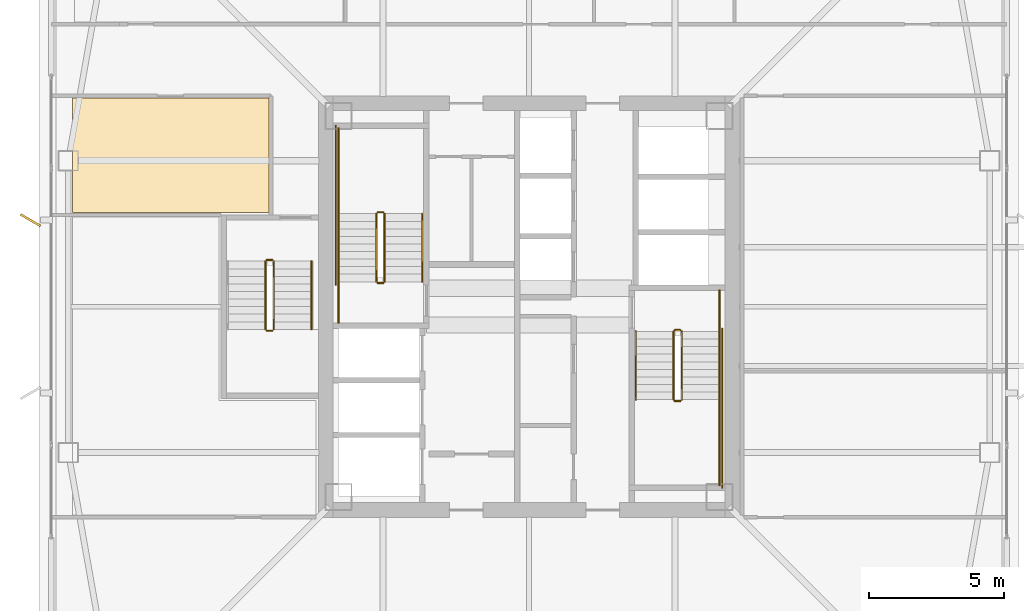
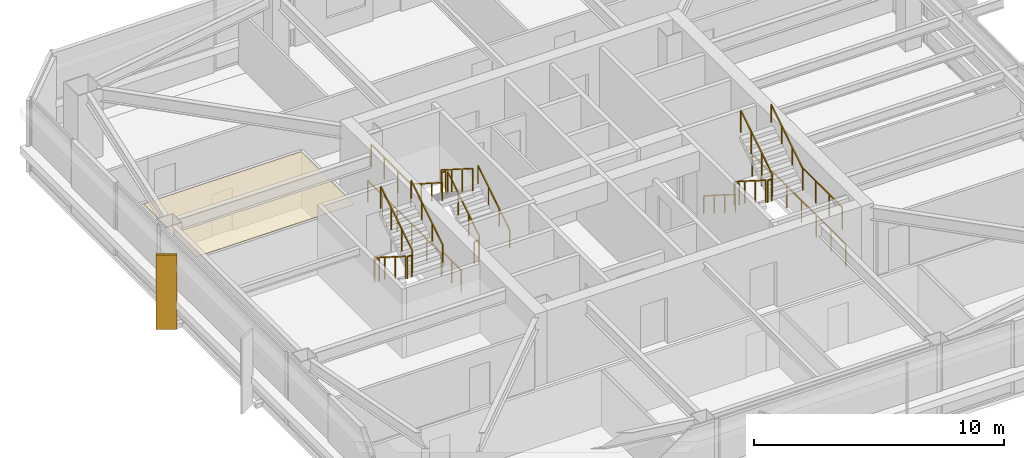
# One storey, part 42 of 46: 23 railings, 1 covering, 1 shading device.
"""IFC4 building model written with IfcOpenShell, lengths in metres."""

from ifc_helpers import new_model, si_unit, direction, frame, origin, origin_2d, place, context, subcontext, project, spatial, polyline, rectangle, outline, extrude, material, layer, layer_set, type_object, element, save


model = new_model("IFC4")

# Units and contexts
model_context = context("Model", 3, precision=1e-05, world=origin(), true_north=direction((0.0, 1.0)))
body_context = subcontext(model_context, "Body", "Model", "MODEL_VIEW")
ifc_project = project(units=[si_unit("LENGTHUNIT", "METRE"), si_unit("AREAUNIT", "SQUARE_METRE"), si_unit("VOLUMEUNIT", "CUBIC_METRE"), si_unit("PLANEANGLEUNIT", "RADIAN"), si_unit("MASSUNIT", "GRAM", prefix="KILO")], contexts=[model_context])

# Site, building, storey
site_placement = place(None, origin())
site = spatial("IfcSite", under=ifc_project, at=site_placement, CompositionType="ELEMENT")
building_placement = place(site_placement, origin())
building = spatial("IfcBuilding", under=site, at=building_placement, Name="Tashvorn Skyway Center", CompositionType="ELEMENT")
storey_placement = place(building_placement, frame((0.0, 0.0, 167.64990234375)))
storey = spatial("IfcBuildingStorey", under=building, at=storey_placement, Name="L45", CompositionType="ELEMENT", Elevation=167.64990234375)

# Covering
ifc_material_1 = material(Name="Mineral-fibre acoustic ceiling tile on suspended grid")
ifc_layer_1 = layer(ifc_material_1, 0.02001953125)
ifc_layer_set_1 = layer_set([ifc_layer_1], Name="Mineral-fibre acoustic ceiling tile on suspended grid")
covering_type = type_object("IfcCoveringType", Name="COV-CEIL-20", PredefinedType="CEILING", material=ifc_layer_set_1)
covering_placement = place(storey_placement, frame((0.0, 0.0, 2.703125)))
element("IfcCovering", 1, at=covering_placement, inside=storey, type_object=covering_type, Name="Tower 1 L45 Collaborative Studio Acoustic Ceiling", PredefinedType="CEILING", context=body_context, shape_type="SweptSolid", body=[
    extrude(outline(polyline([(32.3701171875, 39.719970703125), (32.3701171875, 35.47998046875), (25.10009765625, 35.47998046875), (25.10009765625, 39.719970703125), (32.3701171875, 39.719970703125)])), origin(), (0.0, 0.0, 1.0), 0.02001953125),
])

# Railings
ifc_material_2 = material(Name="Brushed stainless steel 316", Category="steel")
railing_type_1 = type_object("IfcRailingType", Name="RAIL-HAND-920", PredefinedType="HANDRAIL", material=ifc_material_2)
railing_1_placement = place(storey_placement, frame((38.050048828125, 32.919921875, 0.177490234375)))
element("IfcRailing", 2, at=railing_1_placement, inside=storey, type_object=railing_type_1, Name="L45 ST-T1-1 stair handrail 1", PredefinedType="HANDRAIL", context=body_context, shape_type="SweptSolid", body=[
    extrude(rectangle(XDim=0.048095703125, YDim=0.048095703125, at=origin_2d()), frame((0.0, 0.0, 0.8759765625), z_axis=(0.0, 0.84456994832, 0.535445237532), x_axis=(-1.0, 0.0, 0.0)), (0.0, 0.0, 1.0), 2.98388671875),
    extrude(rectangle(XDim=0.0419921875, YDim=0.0419921875, at=origin_2d()), origin(), (0.0, 0.0, 1.0), 0.851806640625),
    extrude(rectangle(XDim=0.0419921875, YDim=0.0419921875, at=origin_2d()), frame((0.0, 0.840087890625, 0.532470703125)), (0.0, 0.0, 1.0), 0.851806640625),
    extrude(rectangle(XDim=0.0419921875, YDim=0.0419921875, at=origin_2d()), frame((0.0, 1.679931640625, 1.065185546875)), (0.0, 0.0, 1.0), 0.851806640625),
    extrude(rectangle(XDim=0.0419921875, YDim=0.0419921875, at=origin_2d()), frame((0.0, 2.52001953125, 1.59765625)), (0.0, 0.0, 1.0), 0.851806640625),
])
railing_2_placement = place(storey_placement, frame((34.949951171875, 35.43994140625, 1.95263671875)))
element("IfcRailing", 3, at=railing_2_placement, inside=storey, type_object=railing_type_1, Name="L45 ST-T1-1 stair handrail 2", PredefinedType="HANDRAIL", context=body_context, shape_type="SweptSolid", body=[
    extrude(rectangle(XDim=0.048095703125, YDim=0.048095703125, at=origin_2d()), frame((0.0, 0.0, 0.8759765625), z_axis=(0.0, -0.84460694969, 0.535386869969), x_axis=(1.0, 0.0, 0.0)), (0.0, 0.0, 1.0), 2.983642578125),
    extrude(rectangle(XDim=0.0419921875, YDim=0.0419921875, at=origin_2d()), origin(), (0.0, 0.0, 1.0), 0.851806640625),
    extrude(rectangle(XDim=0.0419921875, YDim=0.0419921875, at=origin_2d()), frame((0.0, -0.840087890625, 0.532470703125)), (0.0, 0.0, 1.0), 0.851806640625),
    extrude(rectangle(XDim=0.0419921875, YDim=0.0419921875, at=origin_2d()), frame((0.0, -1.679931640625, 1.06494140625)), (0.0, 0.0, 1.0), 0.851806640625),
    extrude(rectangle(XDim=0.0419921875, YDim=0.0419921875, at=origin_2d()), frame((0.0, -2.52001953125, 1.597412109375)), (0.0, 0.0, 1.0), 0.851806640625),
])
railing_3_placement = place(storey_placement, frame((45.949951171875, 31.080078125, 0.177490234375)))
element("IfcRailing", 4, at=railing_3_placement, inside=storey, type_object=railing_type_1, Name="L45 ST-T1-2 stair handrail 1", PredefinedType="HANDRAIL", context=body_context, shape_type="SweptSolid", body=[
    extrude(rectangle(XDim=0.048095703125, YDim=0.048095703125, at=origin_2d()), frame((0.0, 0.0, 0.8759765625), z_axis=(0.0, -0.84456994832, 0.535445237532), x_axis=(1.0, 0.0, 0.0)), (0.0, 0.0, 1.0), 2.98388671875),
    extrude(rectangle(XDim=0.0419921875, YDim=0.0419921875, at=origin_2d()), origin(), (0.0, 0.0, 1.0), 0.851806640625),
    extrude(rectangle(XDim=0.0419921875, YDim=0.0419921875, at=origin_2d()), frame((0.0, -0.840087890625, 0.532470703125)), (0.0, 0.0, 1.0), 0.851806640625),
    extrude(rectangle(XDim=0.0419921875, YDim=0.0419921875, at=origin_2d()), frame((0.0, -1.679931640625, 1.065185546875)), (0.0, 0.0, 1.0), 0.851806640625),
    extrude(rectangle(XDim=0.0419921875, YDim=0.0419921875, at=origin_2d()), frame((0.0, -2.52001953125, 1.59765625)), (0.0, 0.0, 1.0), 0.851806640625),
])
for number, where, name in (
    (5, (49.050048828125, 28.56005859375, 1.95263671875), "L45 ST-T1-2 stair handrail 2"),
    (6, (33.949951171875, 31.159912109375, 1.95263671875), "L45 ST-T1-3 stair handrail 2"),
):
    element("IfcRailing", number, at=place(storey_placement, frame(where)), inside=storey, type_object=railing_type_1, Name=name, PredefinedType="HANDRAIL", context=body_context, shape_type="SweptSolid", body=[
        extrude(rectangle(XDim=0.048095703125, YDim=0.048095703125, at=origin_2d()), frame((0.0, 0.0, 0.8759765625), z_axis=(0.0, 0.84460694969, 0.535386869969), x_axis=(-1.0, 0.0, 0.0)), (0.0, 0.0, 1.0), 2.983642578125),
        extrude(rectangle(XDim=0.0419921875, YDim=0.0419921875, at=origin_2d()), origin(), (0.0, 0.0, 1.0), 0.851806640625),
        extrude(rectangle(XDim=0.0419921875, YDim=0.0419921875, at=origin_2d()), frame((0.0, 0.840087890625, 0.532470703125)), (0.0, 0.0, 1.0), 0.851806640625),
        extrude(rectangle(XDim=0.0419921875, YDim=0.0419921875, at=origin_2d()), frame((0.0, 1.679931640625, 1.06494140625)), (0.0, 0.0, 1.0), 0.851806640625),
        extrude(rectangle(XDim=0.0419921875, YDim=0.0419921875, at=origin_2d()), frame((0.0, 2.52001953125, 1.597412109375)), (0.0, 0.0, 1.0), 0.851806640625),
    ])
ifc_material_3 = material(Name="Painted galvanized steel S355", Category="steel")
railing_type_2 = type_object("IfcRailingType", Name="RAIL-STGUARD-1100", PredefinedType="GUARDRAIL", material=ifc_material_3)
railing_4_placement = place(storey_placement, frame((36.64990234375, 32.919921875, 0.177490234375)))
element("IfcRailing", 7, at=railing_4_placement, inside=storey, type_object=railing_type_2, Name="L45 ST-T1-1 stair guard 1", PredefinedType="GUARDRAIL", context=body_context, shape_type="SweptSolid", body=[
    extrude(rectangle(XDim=0.048095703125, YDim=0.048095703125, at=origin_2d()), frame((0.0, 0.0, 1.076171875), z_axis=(0.0, 0.84456994832, 0.535445237532), x_axis=(-1.0, 0.0, 0.0)), (0.0, 0.0, 1.0), 2.98388671875),
    extrude(rectangle(XDim=0.0419921875, YDim=0.0419921875, at=origin_2d()), origin(), (0.0, 0.0, 1.0), 1.052001953125),
    extrude(rectangle(XDim=0.0419921875, YDim=0.0419921875, at=origin_2d()), frame((0.0, 0.840087890625, 0.532470703125)), (0.0, 0.0, 1.0), 1.052001953125),
    extrude(rectangle(XDim=0.0419921875, YDim=0.0419921875, at=origin_2d()), frame((0.0, 1.679931640625, 1.065185546875)), (0.0, 0.0, 1.0), 1.052001953125),
    extrude(rectangle(XDim=0.0419921875, YDim=0.0419921875, at=origin_2d()), frame((0.0, 2.52001953125, 1.59765625)), (0.0, 0.0, 1.0), 1.052001953125),
])
railing_5_placement = place(storey_placement, frame((36.60009765625, 35.489990234375, 1.775146484375)))
element("IfcRailing", 8, at=railing_5_placement, inside=storey, type_object=railing_type_2, Name="L45 ST-T1-1 stair guard 2", PredefinedType="GUARDRAIL", context=body_context, shape_type="SweptSolid", body=[
    extrude(rectangle(XDim=0.048095703125, YDim=0.048095703125, at=origin_2d()), frame((0.0, 0.0, 1.076171875), z_axis=(-1.0, 0.0, 0.0), x_axis=(0.0, -1.0, 0.0)), (0.0, 0.0, 1.0), 0.2001953125),
    extrude(rectangle(XDim=0.0419921875, YDim=0.0419921875, at=origin_2d()), origin(), (0.0, 0.0, 1.0), 1.052001953125),
    extrude(rectangle(XDim=0.0419921875, YDim=0.0419921875, at=origin_2d()), frame((-0.2001953125, 0.0, 0.0)), (0.0, 0.0, 1.0), 1.052001953125),
])
railing_6_placement = place(storey_placement, frame((34.949951171875, 35.43994140625, 1.775146484375)))
element("IfcRailing", 9, at=railing_6_placement, inside=storey, type_object=railing_type_2, Name="L45 ST-T1-1 stair guard 3", PredefinedType="GUARDRAIL", context=body_context, shape_type="SweptSolid", body=[
    extrude(rectangle(XDim=0.048095703125, YDim=0.048095703125, at=origin_2d()), frame((0.0, 0.0, 1.076171875), z_axis=(0.0, 1.0, 0.0), x_axis=(-1.0, 0.0, 0.0)), (0.0, 0.0, 1.0), 3.16015625),
    extrude(rectangle(XDim=0.0419921875, YDim=0.0419921875, at=origin_2d()), origin(), (0.0, 0.0, 1.0), 1.052001953125),
    extrude(rectangle(XDim=0.0419921875, YDim=0.0419921875, at=origin_2d()), frame((0.0, 1.053466796875, 0.0)), (0.0, 0.0, 1.0), 1.052001953125),
    extrude(rectangle(XDim=0.0419921875, YDim=0.0419921875, at=origin_2d()), frame((0.0, 2.106689453125, 0.0)), (0.0, 0.0, 1.0), 1.052001953125),
    extrude(rectangle(XDim=0.0419921875, YDim=0.0419921875, at=origin_2d()), frame((0.0, 3.16015625, 0.0)), (0.0, 0.0, 1.0), 1.052001953125),
])
railing_7_placement = place(storey_placement, frame((36.35009765625, 35.43994140625, 1.95263671875)))
element("IfcRailing", 10, at=railing_7_placement, inside=storey, type_object=railing_type_2, Name="L45 ST-T1-1 stair guard 4", PredefinedType="GUARDRAIL", context=body_context, shape_type="SweptSolid", body=[
    extrude(rectangle(XDim=0.048095703125, YDim=0.048095703125, at=origin_2d()), frame((0.0, 0.0, 1.076171875), z_axis=(0.0, -0.84460694969, 0.535386869969), x_axis=(1.0, 0.0, 0.0)), (0.0, 0.0, 1.0), 2.983642578125),
    extrude(rectangle(XDim=0.0419921875, YDim=0.0419921875, at=origin_2d()), origin(), (0.0, 0.0, 1.0), 1.052001953125),
    extrude(rectangle(XDim=0.0419921875, YDim=0.0419921875, at=origin_2d()), frame((0.0, -0.840087890625, 0.532470703125)), (0.0, 0.0, 1.0), 1.052001953125),
    extrude(rectangle(XDim=0.0419921875, YDim=0.0419921875, at=origin_2d()), frame((0.0, -1.679931640625, 1.06494140625)), (0.0, 0.0, 1.0), 1.052001953125),
    extrude(rectangle(XDim=0.0419921875, YDim=0.0419921875, at=origin_2d()), frame((0.0, -2.52001953125, 1.597412109375)), (0.0, 0.0, 1.0), 1.052001953125),
])
railing_8_placement = place(storey_placement, frame((36.60009765625, 32.8701171875, 0.0)))
element("IfcRailing", 11, at=railing_8_placement, inside=storey, type_object=railing_type_2, Name="L45 ST-T1-1 stair guard 5", PredefinedType="GUARDRAIL", context=body_context, shape_type="SweptSolid", body=[
    extrude(rectangle(XDim=0.048095703125, YDim=0.048095703125, at=origin_2d()), frame((0.0, 0.0, 1.076171875), z_axis=(-1.0, 0.0, 0.0), x_axis=(0.0, -1.0, 0.0)), (0.0, 0.0, 1.0), 0.2001953125),
    extrude(rectangle(XDim=0.0419921875, YDim=0.0419921875, at=origin_2d()), origin(), (0.0, 0.0, 1.0), 1.052001953125),
    extrude(rectangle(XDim=0.0419921875, YDim=0.0419921875, at=origin_2d()), frame((-0.2001953125, 0.0, 0.0)), (0.0, 0.0, 1.0), 1.052001953125),
])
railing_9_placement = place(storey_placement, frame((34.949951171875, 31.39990234375, 0.0)))
element("IfcRailing", 12, at=railing_9_placement, inside=storey, type_object=railing_type_2, Name="L45 ST-T1-1 stair guard 6", PredefinedType="GUARDRAIL", context=body_context, shape_type="SweptSolid", body=[
    extrude(rectangle(XDim=0.048095703125, YDim=0.048095703125, at=origin_2d()), frame((0.0, 0.0, 1.076171875), z_axis=(0.0, 1.0, 0.0), x_axis=(-1.0, 0.0, 0.0)), (0.0, 0.0, 1.0), 1.52001953125),
    extrude(rectangle(XDim=0.0419921875, YDim=0.0419921875, at=origin_2d()), origin(), (0.0, 0.0, 1.0), 1.052001953125),
    extrude(rectangle(XDim=0.0419921875, YDim=0.0419921875, at=origin_2d()), frame((0.0, 0.760009765625, 0.0)), (0.0, 0.0, 1.0), 1.052001953125),
    extrude(rectangle(XDim=0.0419921875, YDim=0.0419921875, at=origin_2d()), frame((0.0, 1.52001953125, 0.0)), (0.0, 0.0, 1.0), 1.052001953125),
])
railing_10_placement = place(storey_placement, frame((34.85009765625, 32.820068359375, 0.0)))
element("IfcRailing", 13, at=railing_10_placement, inside=storey, type_object=railing_type_2, Name="L45 ST-T1-1 stair guard 7", PredefinedType="GUARDRAIL", context=body_context, shape_type="SweptSolid", body=[
    extrude(rectangle(XDim=0.048095703125, YDim=0.048095703125, at=origin_2d()), frame((0.0, 0.0, 1.076171875), z_axis=(0.0, 1.0, 0.0), x_axis=(-1.0, 0.0, 0.0)), (0.0, 0.0, 1.0), 5.8798828125),
    extrude(rectangle(XDim=0.0419921875, YDim=0.0419921875, at=origin_2d()), origin(), (0.0, 0.0, 1.0), 1.052001953125),
    extrude(rectangle(XDim=0.0419921875, YDim=0.0419921875, at=origin_2d()), frame((0.0, 1.176025390625, 0.0)), (0.0, 0.0, 1.0), 1.052001953125),
    extrude(rectangle(XDim=0.0419921875, YDim=0.0419921875, at=origin_2d()), frame((0.0, 2.35205078125, 0.0)), (0.0, 0.0, 1.0), 1.052001953125),
    extrude(rectangle(XDim=0.0419921875, YDim=0.0419921875, at=origin_2d()), frame((0.0, 3.52783203125, 0.0)), (0.0, 0.0, 1.0), 1.052001953125),
    extrude(rectangle(XDim=0.0419921875, YDim=0.0419921875, at=origin_2d()), frame((0.0, 4.703857421875, 0.0)), (0.0, 0.0, 1.0), 1.052001953125),
    extrude(rectangle(XDim=0.0419921875, YDim=0.0419921875, at=origin_2d()), frame((0.0, 5.8798828125, 0.0)), (0.0, 0.0, 1.0), 1.052001953125),
])
railing_11_placement = place(storey_placement, frame((47.35009765625, 31.080078125, 0.177490234375)))
element("IfcRailing", 14, at=railing_11_placement, inside=storey, type_object=railing_type_2, Name="L45 ST-T1-2 stair guard 1", PredefinedType="GUARDRAIL", context=body_context, shape_type="SweptSolid", body=[
    extrude(rectangle(XDim=0.048095703125, YDim=0.048095703125, at=origin_2d()), frame((0.0, 0.0, 1.076171875), z_axis=(0.0, -0.84456994832, 0.535445237532), x_axis=(1.0, 0.0, 0.0)), (0.0, 0.0, 1.0), 2.98388671875),
    extrude(rectangle(XDim=0.0419921875, YDim=0.0419921875, at=origin_2d()), origin(), (0.0, 0.0, 1.0), 1.052001953125),
    extrude(rectangle(XDim=0.0419921875, YDim=0.0419921875, at=origin_2d()), frame((0.0, -0.840087890625, 0.532470703125)), (0.0, 0.0, 1.0), 1.052001953125),
    extrude(rectangle(XDim=0.0419921875, YDim=0.0419921875, at=origin_2d()), frame((0.0, -1.679931640625, 1.065185546875)), (0.0, 0.0, 1.0), 1.052001953125),
    extrude(rectangle(XDim=0.0419921875, YDim=0.0419921875, at=origin_2d()), frame((0.0, -2.52001953125, 1.59765625)), (0.0, 0.0, 1.0), 1.052001953125),
])
railing_12_placement = place(storey_placement, frame((47.39990234375, 28.510009765625, 1.775146484375)))
element("IfcRailing", 15, at=railing_12_placement, inside=storey, type_object=railing_type_2, Name="L45 ST-T1-2 stair guard 2", PredefinedType="GUARDRAIL", context=body_context, shape_type="SweptSolid", body=[
    extrude(rectangle(XDim=0.048095703125, YDim=0.048095703125, at=origin_2d()), frame((0.0, 0.0, 1.076171875), z_axis=(1.0, 0.0, 0.0), x_axis=(0.0, 1.0, 0.0)), (0.0, 0.0, 1.0), 0.2001953125),
    extrude(rectangle(XDim=0.0419921875, YDim=0.0419921875, at=origin_2d()), origin(), (0.0, 0.0, 1.0), 1.052001953125),
    extrude(rectangle(XDim=0.0419921875, YDim=0.0419921875, at=origin_2d()), frame((0.2001953125, 0.0, 0.0)), (0.0, 0.0, 1.0), 1.052001953125),
])
railing_13_placement = place(storey_placement, frame((49.050048828125, 28.56005859375, 1.775146484375)))
element("IfcRailing", 16, at=railing_13_placement, inside=storey, type_object=railing_type_2, Name="L45 ST-T1-2 stair guard 3", PredefinedType="GUARDRAIL", context=body_context, shape_type="SweptSolid", body=[
    extrude(rectangle(XDim=0.048095703125, YDim=0.048095703125, at=origin_2d()), frame((0.0, 0.0, 1.076171875), z_axis=(0.0, -1.0, 0.0), x_axis=(1.0, 0.0, 0.0)), (0.0, 0.0, 1.0), 3.16015625),
    extrude(rectangle(XDim=0.0419921875, YDim=0.0419921875, at=origin_2d()), origin(), (0.0, 0.0, 1.0), 1.052001953125),
    extrude(rectangle(XDim=0.0419921875, YDim=0.0419921875, at=origin_2d()), frame((0.0, -1.053466796875, 0.0)), (0.0, 0.0, 1.0), 1.052001953125),
    extrude(rectangle(XDim=0.0419921875, YDim=0.0419921875, at=origin_2d()), frame((0.0, -2.106689453125, 0.0)), (0.0, 0.0, 1.0), 1.052001953125),
    extrude(rectangle(XDim=0.0419921875, YDim=0.0419921875, at=origin_2d()), frame((0.0, -3.16015625, 0.0)), (0.0, 0.0, 1.0), 1.052001953125),
])
railing_14_placement = place(storey_placement, frame((47.64990234375, 28.56005859375, 1.95263671875)))
element("IfcRailing", 17, at=railing_14_placement, inside=storey, type_object=railing_type_2, Name="L45 ST-T1-2 stair guard 4", PredefinedType="GUARDRAIL", context=body_context, shape_type="SweptSolid", body=[
    extrude(rectangle(XDim=0.048095703125, YDim=0.048095703125, at=origin_2d()), frame((0.0, 0.0, 1.076171875), z_axis=(0.0, 0.84460694969, 0.535386869969), x_axis=(-1.0, 0.0, 0.0)), (0.0, 0.0, 1.0), 2.983642578125),
    extrude(rectangle(XDim=0.0419921875, YDim=0.0419921875, at=origin_2d()), origin(), (0.0, 0.0, 1.0), 1.052001953125),
    extrude(rectangle(XDim=0.0419921875, YDim=0.0419921875, at=origin_2d()), frame((0.0, 0.840087890625, 0.532470703125)), (0.0, 0.0, 1.0), 1.052001953125),
    extrude(rectangle(XDim=0.0419921875, YDim=0.0419921875, at=origin_2d()), frame((0.0, 1.679931640625, 1.06494140625)), (0.0, 0.0, 1.0), 1.052001953125),
    extrude(rectangle(XDim=0.0419921875, YDim=0.0419921875, at=origin_2d()), frame((0.0, 2.52001953125, 1.597412109375)), (0.0, 0.0, 1.0), 1.052001953125),
])
railing_15_placement = place(storey_placement, frame((47.39990234375, 31.1298828125, 0.0)))
element("IfcRailing", 18, at=railing_15_placement, inside=storey, type_object=railing_type_2, Name="L45 ST-T1-2 stair guard 5", PredefinedType="GUARDRAIL", context=body_context, shape_type="SweptSolid", body=[
    extrude(rectangle(XDim=0.048095703125, YDim=0.048095703125, at=origin_2d()), frame((0.0, 0.0, 1.076171875), z_axis=(1.0, 0.0, 0.0), x_axis=(0.0, 1.0, 0.0)), (0.0, 0.0, 1.0), 0.2001953125),
    extrude(rectangle(XDim=0.0419921875, YDim=0.0419921875, at=origin_2d()), origin(), (0.0, 0.0, 1.0), 1.052001953125),
    extrude(rectangle(XDim=0.0419921875, YDim=0.0419921875, at=origin_2d()), frame((0.2001953125, 0.0, 0.0)), (0.0, 0.0, 1.0), 1.052001953125),
])
railing_16_placement = place(storey_placement, frame((49.050048828125, 32.60009765625, 0.0)))
element("IfcRailing", 19, at=railing_16_placement, inside=storey, type_object=railing_type_2, Name="L45 ST-T1-2 stair guard 6", PredefinedType="GUARDRAIL", context=body_context, shape_type="SweptSolid", body=[
    extrude(rectangle(XDim=0.048095703125, YDim=0.048095703125, at=origin_2d()), frame((0.0, 0.0, 1.076171875), z_axis=(0.0, -1.0, 0.0), x_axis=(1.0, 0.0, 0.0)), (0.0, 0.0, 1.0), 1.52001953125),
    extrude(rectangle(XDim=0.0419921875, YDim=0.0419921875, at=origin_2d()), origin(), (0.0, 0.0, 1.0), 1.052001953125),
    extrude(rectangle(XDim=0.0419921875, YDim=0.0419921875, at=origin_2d()), frame((0.0, -0.760009765625, 0.0)), (0.0, 0.0, 1.0), 1.052001953125),
    extrude(rectangle(XDim=0.0419921875, YDim=0.0419921875, at=origin_2d()), frame((0.0, -1.52001953125, 0.0)), (0.0, 0.0, 1.0), 1.052001953125),
])
railing_17_placement = place(storey_placement, frame((49.14990234375, 31.179931640625, 0.0)))
element("IfcRailing", 20, at=railing_17_placement, inside=storey, type_object=railing_type_2, Name="L45 ST-T1-2 stair guard 7", PredefinedType="GUARDRAIL", context=body_context, shape_type="SweptSolid", body=[
    extrude(rectangle(XDim=0.048095703125, YDim=0.048095703125, at=origin_2d()), frame((0.0, 0.0, 1.076171875), z_axis=(0.0, -1.0, 0.0), x_axis=(1.0, 0.0, 0.0)), (0.0, 0.0, 1.0), 5.8798828125),
    extrude(rectangle(XDim=0.0419921875, YDim=0.0419921875, at=origin_2d()), origin(), (0.0, 0.0, 1.0), 1.052001953125),
    extrude(rectangle(XDim=0.0419921875, YDim=0.0419921875, at=origin_2d()), frame((0.0, -1.176025390625, 0.0)), (0.0, 0.0, 1.0), 1.052001953125),
    extrude(rectangle(XDim=0.0419921875, YDim=0.0419921875, at=origin_2d()), frame((0.0, -2.35205078125, 0.0)), (0.0, 0.0, 1.0), 1.052001953125),
    extrude(rectangle(XDim=0.0419921875, YDim=0.0419921875, at=origin_2d()), frame((0.0, -3.52783203125, 0.0)), (0.0, 0.0, 1.0), 1.052001953125),
    extrude(rectangle(XDim=0.0419921875, YDim=0.0419921875, at=origin_2d()), frame((0.0, -4.703857421875, 0.0)), (0.0, 0.0, 1.0), 1.052001953125),
    extrude(rectangle(XDim=0.0419921875, YDim=0.0419921875, at=origin_2d()), frame((0.0, -5.8798828125, 0.0)), (0.0, 0.0, 1.0), 1.052001953125),
])
railing_18_placement = place(storey_placement, frame((32.25, 33.679931640625, 0.177490234375)))
element("IfcRailing", 21, at=railing_18_placement, inside=storey, type_object=railing_type_2, Name="L45 ST-T1-3 stair guard 1", PredefinedType="GUARDRAIL", context=body_context, shape_type="SweptSolid", body=[
    extrude(rectangle(XDim=0.048095703125, YDim=0.048095703125, at=origin_2d()), frame((0.0, 0.0, 1.076171875), z_axis=(0.0, -0.84456994832, 0.535445237532), x_axis=(1.0, 0.0, 0.0)), (0.0, 0.0, 1.0), 2.98388671875),
    extrude(rectangle(XDim=0.0419921875, YDim=0.0419921875, at=origin_2d()), origin(), (0.0, 0.0, 1.0), 1.052001953125),
    extrude(rectangle(XDim=0.0419921875, YDim=0.0419921875, at=origin_2d()), frame((0.0, -0.840087890625, 0.532470703125)), (0.0, 0.0, 1.0), 1.052001953125),
    extrude(rectangle(XDim=0.0419921875, YDim=0.0419921875, at=origin_2d()), frame((0.0, -1.679931640625, 1.065185546875)), (0.0, 0.0, 1.0), 1.052001953125),
    extrude(rectangle(XDim=0.0419921875, YDim=0.0419921875, at=origin_2d()), frame((0.0, -2.52001953125, 1.59765625)), (0.0, 0.0, 1.0), 1.052001953125),
])
railing_19_placement = place(storey_placement, frame((32.300048828125, 31.110107421875, 1.775146484375)))
element("IfcRailing", 22, at=railing_19_placement, inside=storey, type_object=railing_type_2, Name="L45 ST-T1-3 stair guard 2", PredefinedType="GUARDRAIL", context=body_context, shape_type="SweptSolid", body=[
    extrude(rectangle(XDim=0.048095703125, YDim=0.048095703125, at=origin_2d()), frame((0.0, 0.0, 1.076171875), z_axis=(1.0, 0.0, 0.0), x_axis=(0.0, 1.0, 0.0)), (0.0, 0.0, 1.0), 0.199951171875),
    extrude(rectangle(XDim=0.0419921875, YDim=0.0419921875, at=origin_2d()), origin(), (0.0, 0.0, 1.0), 1.052001953125),
    extrude(rectangle(XDim=0.0419921875, YDim=0.0419921875, at=origin_2d()), frame((0.199951171875, 0.0, 0.0)), (0.0, 0.0, 1.0), 1.052001953125),
])
railing_20_placement = place(storey_placement, frame((32.550048828125, 31.159912109375, 1.95263671875)))
element("IfcRailing", 23, at=railing_20_placement, inside=storey, type_object=railing_type_2, Name="L45 ST-T1-3 stair guard 3", PredefinedType="GUARDRAIL", context=body_context, shape_type="SweptSolid", body=[
    extrude(rectangle(XDim=0.048095703125, YDim=0.048095703125, at=origin_2d()), frame((0.0, 0.0, 1.076171875), z_axis=(0.0, 0.84460694969, 0.535386869969), x_axis=(-1.0, 0.0, 0.0)), (0.0, 0.0, 1.0), 2.983642578125),
    extrude(rectangle(XDim=0.0419921875, YDim=0.0419921875, at=origin_2d()), origin(), (0.0, 0.0, 1.0), 1.052001953125),
    extrude(rectangle(XDim=0.0419921875, YDim=0.0419921875, at=origin_2d()), frame((0.0, 0.840087890625, 0.532470703125)), (0.0, 0.0, 1.0), 1.052001953125),
    extrude(rectangle(XDim=0.0419921875, YDim=0.0419921875, at=origin_2d()), frame((0.0, 1.679931640625, 1.06494140625)), (0.0, 0.0, 1.0), 1.052001953125),
    extrude(rectangle(XDim=0.0419921875, YDim=0.0419921875, at=origin_2d()), frame((0.0, 2.52001953125, 1.597412109375)), (0.0, 0.0, 1.0), 1.052001953125),
])
railing_21_placement = place(storey_placement, frame((32.300048828125, 33.72998046875, 0.0)))
element("IfcRailing", 24, at=railing_21_placement, inside=storey, type_object=railing_type_2, Name="L45 ST-T1-3 stair guard 4", PredefinedType="GUARDRAIL", context=body_context, shape_type="SweptSolid", body=[
    extrude(rectangle(XDim=0.048095703125, YDim=0.048095703125, at=origin_2d()), frame((0.0, 0.0, 1.076171875), z_axis=(1.0, 0.0, 0.0), x_axis=(0.0, 1.0, 0.0)), (0.0, 0.0, 1.0), 0.199951171875),
    extrude(rectangle(XDim=0.0419921875, YDim=0.0419921875, at=origin_2d()), origin(), (0.0, 0.0, 1.0), 1.052001953125),
    extrude(rectangle(XDim=0.0419921875, YDim=0.0419921875, at=origin_2d()), frame((0.199951171875, 0.0, 0.0)), (0.0, 0.0, 1.0), 1.052001953125),
])

# Shading device
ifc_material_4 = material(Name="Perforated ceramic-coated bronze aluminium solar screen", Category="aluminium")
ifc_layer_2 = layer(ifc_material_4, 0.06005859375)
ifc_layer_set_2 = layer_set([ifc_layer_2], Name="Perforated ceramic-coated bronze aluminium solar screen")
shading_device_type = type_object("IfcShadingDeviceType", Name="SHD-SOLAR-850", PredefinedType="USERDEFINED", material=ifc_layer_set_2)
shading_device_placement = place(storey_placement, frame((23.550048828125, 35.199951171875, -0.099853515625), z_axis=(0.0, 0.0, 1.0), x_axis=(0.5, 0.866025403784, 0.0)))
element("IfcShadingDevice", 25, at=shading_device_placement, inside=storey, type_object=shading_device_type, Name="Tower 1 L45 Perforated Ceramic-Metal Solar Screen W2", ObjectType="SCREEN", PredefinedType="USERDEFINED", context=body_context, shape_type="SweptSolid", body=[
    extrude(rectangle(XDim=0.080078125, YDim=0.85009765625, at=origin_2d()), origin(), (0.0, 0.0, 1.0), 3.64990234375),
])

save(model, "model.ifc")
